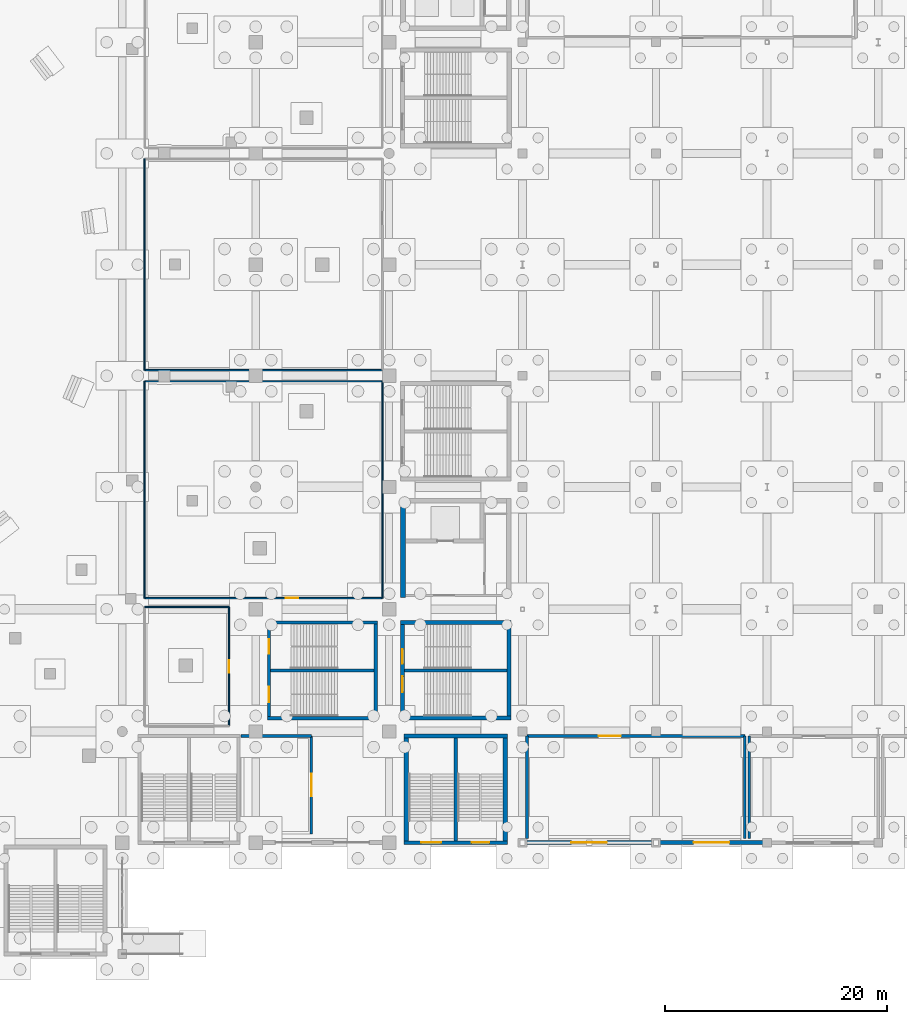
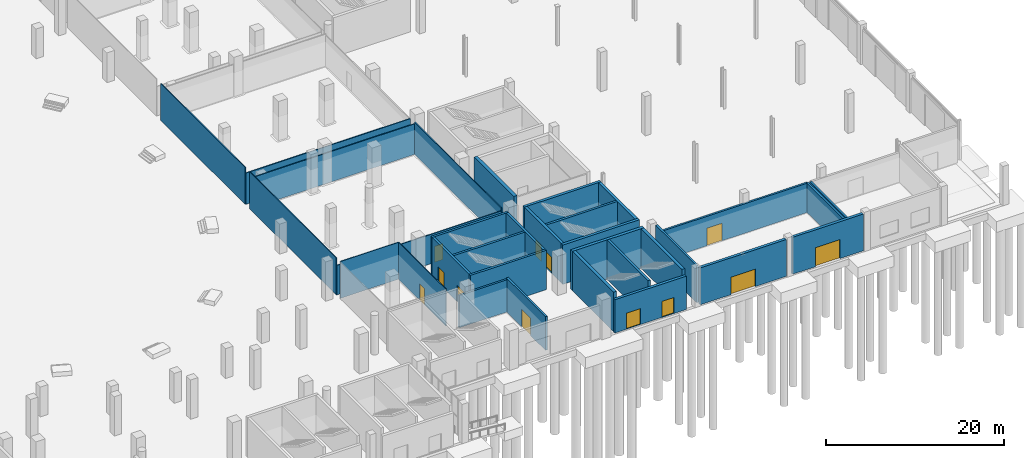
# One storey, part 54 of 70: 32 walls, 12 doors, 12 openings.
"""IFC4 building model written with IfcOpenShell, lengths in metres."""

from ifc_helpers import new_model, si_unit, direction, frame, frame_2d, origin, place, context, subcontext, project, spatial, rectangle, extrude, material, layer, layer_set, type_object, element, fill, save


model = new_model("IFC4")

# Units and contexts
model_context = context("Model", 3, precision=1e-05, world=origin(), true_north=direction((0.0, 1.0)))
body_context = subcontext(model_context, "Body", "Model", "MODEL_VIEW")
ifc_project = project(units=[si_unit("LENGTHUNIT", "METRE"), si_unit("AREAUNIT", "SQUARE_METRE"), si_unit("VOLUMEUNIT", "CUBIC_METRE"), si_unit("PLANEANGLEUNIT", "RADIAN"), si_unit("MASSUNIT", "GRAM", prefix="KILO")], contexts=[model_context])

# Site, building, storey
site_placement = place(None, origin())
site = spatial("IfcSite", under=ifc_project, at=site_placement, CompositionType="ELEMENT")
building_placement = place(site_placement, origin())
building = spatial("IfcBuilding", under=site, at=building_placement, Name="Brinegate Civic Arena", CompositionType="ELEMENT")
storey_placement = place(building_placement, origin())
storey = spatial("IfcBuildingStorey", under=building, at=storey_placement, Name="L00", CompositionType="ELEMENT", Elevation=0.0)

# Walls
ifc_material_1 = material(Name="Concrete C50/60", Category="concrete")
ifc_layer_1 = layer(ifc_material_1, 0.35009765625, Name="Concrete C50/60")
ifc_layer_set_1 = layer_set([ifc_layer_1], Name="Concrete C50/60")
wall_type_1 = type_object("IfcWallType", Name="WALL-CORE-SHEAR-350", PredefinedType="SHEAR", material=ifc_layer_set_1)
for number, where, z_axis, x_axis, name in (
    (1, (157.02490234375, 21.199951171875, 0.0), (0.0, 0.0, 1.0), (1.0, 0.0, 0.0), "Stair ST-19 South Shear Wall L00 (WBL-26)"),
    (2, (157.02490234375, 29.800048828125, 0.0), (0.0, 0.0, 1.0), (1.0, 0.0, 0.0), "Stair ST-19 North Shear Wall L00 (WBL-27)"),
):
    element("IfcWall", number, at=place(storey_placement, frame(where, z_axis=z_axis, x_axis=x_axis)), inside=storey, type_object=wall_type_1, Name=name, PredefinedType="SHEAR", context=body_context, shape_type="SweptSolid", body=[
        extrude(rectangle(XDim=9.9501953125, YDim=0.35009765625, at=frame_2d((4.97509765625, 0.0))), origin(), (0.0, 0.0, 1.0), 5.39990234375),
    ])

# Wall, openings, doors
wall_1_placement = place(storey_placement, frame((157.199951171875, 21.375, 0.0), z_axis=(0.0, 0.0, 1.0), x_axis=(0.0, 1.0, 0.0)))
wall_1 = element("IfcWall", 3, at=wall_1_placement, inside=storey, type_object=wall_type_1, Name="Stair ST-19 West Shear Wall L00 (WBL-28)", PredefinedType="SHEAR", context=body_context, shape_type="SweptSolid", body=[
    extrude(rectangle(XDim=8.25, YDim=0.35009765625, at=frame_2d((4.125, 0.0))), origin(), (0.0, 0.0, 1.0), 5.39990234375),
])
opening_1_placement = place(wall_1_placement, frame((2.175048828125, 0.0, 0.0)))
opening_1 = element("IfcOpeningElement", 4, at=opening_1_placement, cuts=wall_1, Name="Opening D-ST19A-L00", PredefinedType="OPENING", context=body_context, shape_type="SweptSolid", body=[
    extrude(rectangle(XDim=1.39990234375, YDim=2.199951171875, at=frame_2d((0.699951171875, 1.10009765625))), frame((0.0, 0.18505859375, 0.0), z_axis=(0.0, -1.0, 0.0), x_axis=(1.0, 0.0, 0.0)), (0.0, 0.0, 1.0), 0.3701171875),
])
opening_2_placement = place(wall_1_placement, frame((4.715087890625, 0.0, 0.0)))
opening_2 = element("IfcOpeningElement", 5, at=opening_2_placement, cuts=wall_1, Name="Opening D-ST19B-L00", PredefinedType="OPENING", context=body_context, shape_type="SweptSolid", body=[
    extrude(rectangle(XDim=1.320068359375, YDim=2.199951171875, at=frame_2d((0.66015625, 1.10009765625))), frame((0.0, 0.18505859375, 0.0), z_axis=(0.0, -1.0, 0.0), x_axis=(1.0, 0.0, 0.0)), (0.0, 0.0, 1.0), 0.3701171875),
])
ifc_material_2 = material(Name="Galvanized hurricane steel", Category="steel")
door_type_1 = type_object("IfcDoorType", Name="DOOR-STAIR-2200X2200", OperationType="NOTDEFINED", PredefinedType="DOOR", material=ifc_material_2)
door_1_placement = place(opening_2_placement, origin())
door_1 = element("IfcDoor", 6, at=door_1_placement, inside=storey, type_object=door_type_1, Name="Protected Exit Stair Door D-ST19B-L00", OperationType="DOUBLE_DOOR_SINGLE_SWING", OverallHeight=2.199951171875, OverallWidth=1.320068359375, PredefinedType="DOOR", context=body_context, shape_type="SweptSolid", body=[
    extrude(rectangle(XDim=1.320068359375, YDim=2.199951171875, at=frame_2d((0.66015625, 1.10009765625))), frame((0.0, 0.02490234375, 0.0), z_axis=(0.0, -1.0, 0.0), x_axis=(1.0, 0.0, 0.0)), (0.0, 0.0, 1.0), 0.050048828125),
])
fill(opening_2, door_1)
door_type_2 = type_object("IfcDoorType", Name="DOOR-STAIR-2400X2200", OperationType="NOTDEFINED", PredefinedType="DOOR", material=ifc_material_2)
door_2_placement = place(opening_1_placement, origin())
door_2 = element("IfcDoor", 7, at=door_2_placement, inside=storey, type_object=door_type_2, Name="Protected Exit Stair Door D-ST19A-L00", OperationType="DOUBLE_DOOR_SINGLE_SWING", OverallHeight=2.199951171875, OverallWidth=1.39990234375, PredefinedType="DOOR", context=body_context, shape_type="SweptSolid", body=[
    extrude(rectangle(XDim=1.39990234375, YDim=2.199951171875, at=frame_2d((0.699951171875, 1.10009765625))), frame((0.0, 0.02490234375, 0.0), z_axis=(0.0, -1.0, 0.0), x_axis=(1.0, 0.0, 0.0)), (0.0, 0.0, 1.0), 0.050048828125),
])
fill(opening_1, door_2)

# Walls
wall_2_placement = place(storey_placement, frame((166.800048828125, 21.375, 0.0), z_axis=(0.0, 0.0, 1.0), x_axis=(0.0, 1.0, 0.0)))
element("IfcWall", 8, at=wall_2_placement, inside=storey, type_object=wall_type_1, Name="Stair ST-19 East Shear Wall L00 (WBL-29)", PredefinedType="SHEAR", context=body_context, shape_type="SweptSolid", body=[
    extrude(rectangle(XDim=8.25, YDim=0.35009765625, at=frame_2d((4.125, 0.0))), origin(), (0.0, 0.0, 1.0), 5.39990234375),
])
ifc_layer_2 = layer(ifc_material_1, 0.389892578125, Name="Concrete C50/60")
ifc_layer_set_2 = layer_set([ifc_layer_2], Name="Concrete C50/60")
wall_type_2 = type_object("IfcWallType", Name="WALL-CORE-SHEAR-390", PredefinedType="SHEAR", material=ifc_layer_set_2)
wall_3_placement = place(storey_placement, frame((157.35498046875, 19.60009765625, 0.0), z_axis=(0.0, 0.0, 1.0), x_axis=(1.0, 0.0, 0.0)))
element("IfcWall", 9, at=wall_3_placement, inside=storey, type_object=wall_type_2, Name="Stair ST-06 North Shear Wall L00 (WBC-44)", PredefinedType="SHEAR", context=body_context, shape_type="SweptSolid", body=[
    extrude(rectangle(XDim=9.2900390625, YDim=0.389892578125, at=frame_2d((4.64501953125, 0.0))), origin(), (0.0, 0.0, 1.0), 5.39990234375),
])
for number, where, z_axis, x_axis, name in (
    (10, (157.550048828125, 10.175048828125, 0.0), (0.0, 0.0, 1.0), (0.0, 1.0, 0.0), "Stair ST-06 West Shear Wall L00 (WBC-45)"),
    (11, (166.449951171875, 10.175048828125, 0.0), (0.0, 0.0, 1.0), (0.0, 1.0, 0.0), "Stair ST-06 East Shear Wall L00 (WBC-46)"),
):
    element("IfcWall", number, at=place(storey_placement, frame(where, z_axis=z_axis, x_axis=x_axis)), inside=storey, type_object=wall_type_2, Name=name, PredefinedType="SHEAR", context=body_context, shape_type="SweptSolid", body=[
        extrude(rectangle(XDim=9.22998046875, YDim=0.389892578125, at=frame_2d((4.614990234375, 0.0))), origin(), (0.0, 0.0, 1.0), 5.39990234375),
    ])
ifc_layer_3 = layer(ifc_material_1, 0.419921875, Name="Concrete C50/60")
ifc_layer_set_3 = layer_set([ifc_layer_3], Name="Concrete C50/60")
wall_type_3 = type_object("IfcWallType", Name="WALL-CORE-SHEAR-420", PredefinedType="SHEAR", material=ifc_layer_set_3)
wall_4_placement = place(storey_placement, frame((157.25, 32.0400390625, 0.0), z_axis=(0.0, 0.0, 1.0), x_axis=(0.0, 1.0, 0.0)))
element("IfcWall", 12, at=wall_4_placement, inside=storey, type_object=wall_type_3, Name="Core K6 West Shear Wall L00 (WBH-80)", PredefinedType="SHEAR", context=body_context, shape_type="SweptSolid", body=[
    extrude(rectangle(XDim=8.919921875, YDim=0.419921875, at=frame_2d((4.4599609375, 0.0))), origin(), (0.0, 0.0, 1.0), 5.39990234375),
])

# Wall, opening, door
ifc_material_3 = material(Name="Precast concrete C45/55", Category="concrete")
ifc_layer_4 = layer(ifc_material_3, 0.360107421875, Name="Precast concrete C45/55")
ifc_layer_set_4 = layer_set([ifc_layer_4], Name="Precast concrete C45/55")
wall_type_4 = type_object("IfcWallType", Name="WALL-EXT-PRECAST-360", PredefinedType="SOLIDWALL", material=ifc_layer_set_4)
wall_5_placement = place(storey_placement, frame((168.385009765625, 10.0, 0.0), z_axis=(0.0, 0.0, 1.0), x_axis=(1.0, 0.0, 0.0)))
wall_5 = element("IfcWall", 13, at=wall_5_placement, inside=storey, type_object=wall_type_4, Name="L00 Perimeter Wall ES-1 (WBA-34)", PredefinedType="SOLIDWALL", context=body_context, shape_type="SweptSolid", body=[
    extrude(rectangle(XDim=11.22998046875, YDim=0.360107421875, at=frame_2d((5.614990234375, 0.0))), origin(), (0.0, 0.0, 1.0), 5.06005859375),
])
opening_3_placement = place(wall_5_placement, frame((4.014892578125, 0.0, 0.0)))
opening_3 = element("IfcOpeningElement", 14, at=opening_3_placement, cuts=wall_5, Name="Opening E-17", PredefinedType="OPENING", context=body_context, shape_type="SweptSolid", body=[
    extrude(rectangle(XDim=3.199951171875, YDim=2.39990234375, at=frame_2d((1.60009765625, 1.199951171875))), frame((0.0, 0.18994140625, 0.0), z_axis=(0.0, -1.0, 0.0), x_axis=(1.0, 0.0, 0.0)), (0.0, 0.0, 1.0), 0.380126953125),
])
ifc_material_4 = material(Name="Marine grade aluminium", Category="aluminium")
door_type_3 = type_object("IfcDoorType", Name="DOOR-FINAL-EXIT-3200X2400", OperationType="NOTDEFINED", PredefinedType="DOOR", material=ifc_material_4)
door_3_placement = place(opening_3_placement, frame((3.199951171875, 0.0, 0.0), z_axis=(0.0, 0.0, 1.0), x_axis=(-1.0, 0.0, 0.0)))
door_3 = element("IfcDoor", 15, at=door_3_placement, inside=storey, type_object=door_type_3, Name="Main Pedestrian Final Exit Door E-17", OperationType="DOUBLE_DOOR_SINGLE_SWING", OverallHeight=2.39990234375, OverallWidth=3.199951171875, PredefinedType="DOOR", context=body_context, shape_type="SweptSolid", body=[
    extrude(rectangle(XDim=3.199951171875, YDim=2.39990234375, at=frame_2d((1.60009765625, 1.199951171875))), frame((0.0, 0.02490234375, 0.0), z_axis=(0.0, -1.0, 0.0), x_axis=(1.0, 0.0, 0.0)), (0.0, 0.0, 1.0), 0.050048828125),
])
fill(opening_3, door_3)

wall_6_placement = place(storey_placement, frame((180.385009765625, 10.0, 0.0), z_axis=(0.0, 0.0, 1.0), x_axis=(1.0, 0.0, 0.0)))
wall_6 = element("IfcWall", 16, at=wall_6_placement, inside=storey, type_object=wall_type_4, Name="L00 Perimeter Wall ES-2 (WBA-35)", PredefinedType="SOLIDWALL", context=body_context, shape_type="SweptSolid", body=[
    extrude(rectangle(XDim=9.22998046875, YDim=0.360107421875, at=frame_2d((4.614990234375, 0.0))), origin(), (0.0, 0.0, 1.0), 5.06005859375),
])
opening_4_placement = place(wall_6_placement, frame((3.014892578125, 0.0, 0.0)))
opening_4 = element("IfcOpeningElement", 17, at=opening_4_placement, cuts=wall_6, Name="Opening E-18", PredefinedType="OPENING", context=body_context, shape_type="SweptSolid", body=[
    extrude(rectangle(XDim=3.199951171875, YDim=2.60009765625, at=frame_2d((1.60009765625, 1.300048828125))), frame((0.0, 0.18994140625, 0.0), z_axis=(0.0, -1.0, 0.0), x_axis=(1.0, 0.0, 0.0)), (0.0, 0.0, 1.0), 0.380126953125),
])
door_type_4 = type_object("IfcDoorType", Name="DOOR-FINAL-EXIT-3200X2600", OperationType="NOTDEFINED", PredefinedType="DOOR", material=ifc_material_4)
door_4_placement = place(opening_4_placement, frame((3.199951171875, 0.0, 0.0), z_axis=(0.0, 0.0, 1.0), x_axis=(-1.0, 0.0, 0.0)))
door_4 = element("IfcDoor", 18, at=door_4_placement, inside=storey, type_object=door_type_4, Name="Main Pedestrian Final Exit Door E-18", OperationType="DOUBLE_DOOR_SINGLE_SWING", OverallHeight=2.60009765625, OverallWidth=3.199951171875, PredefinedType="DOOR", context=body_context, shape_type="SweptSolid", body=[
    extrude(rectangle(XDim=3.199951171875, YDim=2.60009765625, at=frame_2d((1.60009765625, 1.300048828125))), frame((0.0, 0.02490234375, 0.0), z_axis=(0.0, -1.0, 0.0), x_axis=(1.0, 0.0, 0.0)), (0.0, 0.0, 1.0), 0.050048828125),
])
fill(opening_4, door_4)

# Wall, openings, doors
ifc_layer_5 = layer(ifc_material_1, 0.35009765625, Name="Concrete C50/60")
ifc_layer_set_5 = layer_set([ifc_layer_5], Name="Concrete C50/60")
wall_type_5 = type_object("IfcWallType", Name="WALL-EXT-STAIR-SHEAR-350", PredefinedType="SHEAR", material=ifc_layer_set_5)
wall_7_placement = place(storey_placement, frame((157.35498046875, 10.0, 0.0), z_axis=(0.0, 0.0, 1.0), x_axis=(1.0, 0.0, 0.0)))
wall_7 = element("IfcWall", 19, at=wall_7_placement, inside=storey, type_object=wall_type_5, Name="Stair ST-06 South Shear Wall L00 (WBC-43)", PredefinedType="SHEAR", context=body_context, shape_type="SweptSolid", body=[
    extrude(rectangle(XDim=9.2900390625, YDim=0.35009765625, at=frame_2d((4.64501953125, 0.0))), origin(), (0.0, 0.0, 1.0), 4.573974609375),
])
opening_5_placement = place(wall_7_placement, frame((1.52001953125, 0.0, 0.0)))
opening_5 = element("IfcOpeningElement", 20, at=opening_5_placement, cuts=wall_7, Name="Opening E-ST06A", PredefinedType="OPENING", context=body_context, shape_type="SweptSolid", body=[
    extrude(rectangle(XDim=1.800048828125, YDim=2.199951171875, at=frame_2d((0.89990234375, 1.10009765625))), frame((0.0, 0.18505859375, 0.0), z_axis=(0.0, -1.0, 0.0), x_axis=(1.0, 0.0, 0.0)), (0.0, 0.0, 1.0), 0.3701171875),
])
opening_6_placement = place(wall_7_placement, frame((6.070068359375, 0.0, 0.0)))
opening_6 = element("IfcOpeningElement", 21, at=opening_6_placement, cuts=wall_7, Name="Opening E-ST06B", PredefinedType="OPENING", context=body_context, shape_type="SweptSolid", body=[
    extrude(rectangle(XDim=1.60009765625, YDim=2.199951171875, at=frame_2d((0.800048828125, 1.10009765625))), frame((0.0, 0.18505859375, 0.0), z_axis=(0.0, -1.0, 0.0), x_axis=(1.0, 0.0, 0.0)), (0.0, 0.0, 1.0), 0.3701171875),
])
door_type_5 = type_object("IfcDoorType", Name="DOOR-LOGGIA-1600X2200", OperationType="NOTDEFINED", PredefinedType="DOOR", material=ifc_material_4)
door_5_placement = place(opening_6_placement, frame((1.60009765625, 0.0, 0.0), z_axis=(0.0, 0.0, 1.0), x_axis=(-1.0, 0.0, 0.0)))
door_5 = element("IfcDoor", 22, at=door_5_placement, inside=storey, type_object=door_type_5, Name="Stair Final Exit Discharge Door E-ST06B", OperationType="DOUBLE_DOOR_SINGLE_SWING", OverallHeight=2.199951171875, OverallWidth=1.60009765625, PredefinedType="DOOR", context=body_context, shape_type="SweptSolid", body=[
    extrude(rectangle(XDim=1.60009765625, YDim=2.199951171875, at=frame_2d((0.800048828125, 1.10009765625))), frame((0.0, 0.02490234375, 0.0), z_axis=(0.0, -1.0, 0.0), x_axis=(1.0, 0.0, 0.0)), (0.0, 0.0, 1.0), 0.050048828125),
])
fill(opening_6, door_5)
door_type_6 = type_object("IfcDoorType", Name="DOOR-LOGGIA-1800X2200", OperationType="NOTDEFINED", PredefinedType="DOOR", material=ifc_material_4)
door_6_placement = place(opening_5_placement, frame((1.800048828125, 0.0, 0.0), z_axis=(0.0, 0.0, 1.0), x_axis=(-1.0, 0.0, 0.0)))
door_6 = element("IfcDoor", 23, at=door_6_placement, inside=storey, type_object=door_type_6, Name="Stair Final Exit Discharge Door E-ST06A", OperationType="DOUBLE_DOOR_SINGLE_SWING", OverallHeight=2.199951171875, OverallWidth=1.800048828125, PredefinedType="DOOR", context=body_context, shape_type="SweptSolid", body=[
    extrude(rectangle(XDim=1.800048828125, YDim=2.199951171875, at=frame_2d((0.89990234375, 1.10009765625))), frame((0.0, 0.02490234375, 0.0), z_axis=(0.0, -1.0, 0.0), x_axis=(1.0, 0.0, 0.0)), (0.0, 0.0, 1.0), 0.050048828125),
])
fill(opening_5, door_6)

# Walls
ifc_material_5 = material(Name="Concrete C40/50", Category="concrete")
ifc_layer_6 = layer(ifc_material_5, 0.25, Name="Concrete C40/50")
ifc_layer_set_6 = layer_set([ifc_layer_6], Name="Concrete C40/50")
wall_type_6 = type_object("IfcWallType", Name="WALL-INT-SOLID-250", PredefinedType="SOLIDWALL", material=ifc_layer_set_6)
wall_8_placement = place(storey_placement, frame((188.0, 19.60009765625, 0.0), z_axis=(0.0, 0.0, 1.0), x_axis=(0.0, -1.0, 0.0)))
element("IfcWall", 24, at=wall_8_placement, inside=storey, type_object=wall_type_6, Name="Central Chiller and Ice Plant Hall Partition Wall E1 (WBI-46)", PredefinedType="SOLIDWALL", context=body_context, shape_type="SweptSolid", body=[
    extrude(rectangle(XDim=9.2001953125, YDim=0.25, at=frame_2d((4.60009765625, 0.0))), origin(), (0.0, 0.0, 1.0), 4.0400390625),
])
wall_9_placement = place(storey_placement, frame((168.39990234375, 10.39990234375, 0.0), z_axis=(0.0, 0.0, 1.0), x_axis=(0.0, 1.0, 0.0)))
element("IfcWall", 25, at=wall_9_placement, inside=storey, type_object=wall_type_6, Name="Central Chiller and Ice Plant Hall Partition Wall E3 (WBI-47)", PredefinedType="SOLIDWALL", context=body_context, shape_type="SweptSolid", body=[
    extrude(rectangle(XDim=9.2001953125, YDim=0.25, at=frame_2d((4.60009765625, 0.0))), origin(), (0.0, 0.0, 1.0), 5.06005859375),
])

# Wall, opening, door
wall_10_placement = place(storey_placement, frame((168.39990234375, 19.60009765625, 0.0), z_axis=(0.0, 0.0, 1.0), x_axis=(1.0, 0.0, 0.0)))
wall_10 = element("IfcWall", 26, at=wall_10_placement, inside=storey, type_object=wall_type_6, Name="Central Chiller and Ice Plant Hall Partition Wall E4 (WBI-48)", PredefinedType="SOLIDWALL", context=body_context, shape_type="SweptSolid", body=[
    extrude(rectangle(XDim=19.60009765625, YDim=0.25, at=frame_2d((9.800048828125, 0.0))), origin(), (0.0, 0.0, 1.0), 4.0400390625),
])
opening_7_placement = place(wall_10_placement, frame((6.447998046875, 0.0, 0.0)))
opening_7 = element("IfcOpeningElement", 27, at=opening_7_placement, cuts=wall_10, Name="Opening D-L00-156", PredefinedType="OPENING", context=body_context, shape_type="SweptSolid", body=[
    extrude(rectangle(XDim=2.0, YDim=2.39990234375, at=frame_2d((1.0, 1.199951171875))), frame((0.0, 0.135009765625, 0.0), z_axis=(0.0, -1.0, 0.0), x_axis=(1.0, 0.0, 0.0)), (0.0, 0.0, 1.0), 0.27001953125),
])
door_type_7 = type_object("IfcDoorType", Name="DOOR-PLANT-2000X2400", OperationType="NOTDEFINED", PredefinedType="DOOR", material=ifc_material_2)
door_7_placement = place(opening_7_placement, origin())
door_7 = element("IfcDoor", 28, at=door_7_placement, inside=storey, type_object=door_type_7, Name="Central Chiller and Ice Plant Hall Door D-L00-156", OperationType="DOUBLE_DOOR_SINGLE_SWING", OverallHeight=2.39990234375, OverallWidth=2.0, PredefinedType="DOOR", context=body_context, shape_type="SweptSolid", body=[
    extrude(rectangle(XDim=2.0, YDim=2.39990234375, at=frame_2d((1.0, 1.199951171875))), frame((0.0, 0.02490234375, 0.0), z_axis=(0.0, -1.0, 0.0), x_axis=(1.0, 0.0, 0.0)), (0.0, 0.0, 1.0), 0.050048828125),
])
fill(opening_7, door_7)

# Wall
wall_11_placement = place(storey_placement, frame((188.39990234375, 10.39990234375, 0.0), z_axis=(0.0, 0.0, 1.0), x_axis=(0.0, 1.0, 0.0)))
element("IfcWall", 29, at=wall_11_placement, inside=storey, type_object=wall_type_6, Name="Emergency Standby Generator Room Partition Wall E3 (WBI-50)", PredefinedType="SOLIDWALL", context=body_context, shape_type="SweptSolid", body=[
    extrude(rectangle(XDim=9.2001953125, YDim=0.25, at=frame_2d((4.60009765625, 0.0))), origin(), (0.0, 0.0, 1.0), 4.0400390625),
])

# Wall, opening, door
wall_12_placement = place(storey_placement, frame((149.0, 19.60009765625, 0.0), z_axis=(0.0, 0.0, 1.0), x_axis=(0.0, -1.0, 0.0)))
wall_12 = element("IfcWall", 30, at=wall_12_placement, inside=storey, type_object=wall_type_6, Name="Domestic Fire Water Pump and Tank Hall Partition Wall E1 (WBI-54)", PredefinedType="SOLIDWALL", context=body_context, shape_type="SweptSolid", body=[
    extrude(rectangle(XDim=8.800048828125, YDim=0.25, at=frame_2d((4.39990234375, 0.0))), origin(), (0.0, 0.0, 1.0), 4.623046875),
])
opening_8_placement = place(wall_12_placement, frame((3.39990234375, 0.0, 0.0)))
opening_8 = element("IfcOpeningElement", 31, at=opening_8_placement, cuts=wall_12, Name="Opening D-L00-159", PredefinedType="OPENING", context=body_context, shape_type="SweptSolid", body=[
    extrude(rectangle(XDim=2.0, YDim=2.39990234375, at=frame_2d((1.0, 1.199951171875))), frame((0.0, 0.135009765625, 0.0), z_axis=(0.0, -1.0, 0.0), x_axis=(1.0, 0.0, 0.0)), (0.0, 0.0, 1.0), 0.27001953125),
])
door_8_placement = place(opening_8_placement, origin())
door_8 = element("IfcDoor", 32, at=door_8_placement, inside=storey, type_object=door_type_7, Name="Domestic Fire Water Pump and Tank Hall Door D-L00-159", OperationType="DOUBLE_DOOR_SINGLE_SWING", OverallHeight=2.39990234375, OverallWidth=2.0, PredefinedType="DOOR", context=body_context, shape_type="SweptSolid", body=[
    extrude(rectangle(XDim=2.0, YDim=2.39990234375, at=frame_2d((1.0, 1.199951171875))), frame((0.0, 0.02490234375, 0.0), z_axis=(0.0, -1.0, 0.0), x_axis=(1.0, 0.0, 0.0)), (0.0, 0.0, 1.0), 0.050048828125),
])
fill(opening_8, door_8)

# Walls
wall_13_placement = place(storey_placement, frame((142.699951171875, 19.60009765625, 0.0), z_axis=(0.0, 0.0, 1.0), x_axis=(1.0, 0.0, 0.0)))
element("IfcWall", 33, at=wall_13_placement, inside=storey, type_object=wall_type_6, Name="Domestic Fire Water Pump and Tank Hall Partition Wall E4 (WBI-55)", PredefinedType="SOLIDWALL", context=body_context, shape_type="SweptSolid", body=[
    extrude(rectangle(XDim=6.300048828125, YDim=0.25, at=frame_2d((3.14990234375, 0.0))), origin(), (0.0, 0.0, 1.0), 4.428955078125),
])
ifc_material_6 = material(Name="Fire-rated gypsum partition assembly")
ifc_layer_7 = layer(ifc_material_6, 0.1298828125, Name="Fire-rated gypsum partition assembly")
ifc_layer_set_7 = layer_set([ifc_layer_7], Name="Fire-rated gypsum partition assembly")
wall_type_7 = type_object("IfcWallType", Name="WALL-PART-ACOUSTIC-130", PredefinedType="PARTITIONING", material=ifc_layer_set_7)
wall_14_placement = place(storey_placement, frame((155.39990234375, 52.5, 0.0), z_axis=(0.0, 0.0, 1.0), x_axis=(-1.0, 0.0, 0.0)))
element("IfcWall", 34, at=wall_14_placement, inside=storey, type_object=wall_type_7, Name="Home Athlete Locker and Shower Suite Partition Wall E2 (WBI-25)", PredefinedType="PARTITIONING", context=body_context, shape_type="SweptSolid", body=[
    extrude(rectangle(XDim=21.39990234375, YDim=0.1298828125, at=frame_2d((10.699951171875, 0.0))), origin(), (0.0, 0.0, 1.0), 4.2900390625),
])
wall_15_placement = place(storey_placement, frame((134.0, 52.5, 0.0), z_axis=(0.0, 0.0, 1.0), x_axis=(0.0, 1.0, 0.0)))
element("IfcWall", 35, at=wall_15_placement, inside=storey, type_object=wall_type_7, Name="Home Athlete Locker and Shower Suite Partition Wall E3 (WBI-26)", PredefinedType="PARTITIONING", context=body_context, shape_type="SweptSolid", body=[
    extrude(rectangle(XDim=19.0, YDim=0.1298828125, at=frame_2d((9.5, 0.0))), origin(), (0.0, 0.0, 1.0), 5.06005859375),
])
ifc_layer_8 = layer(ifc_material_6, 0.114990234375, Name="Fire-rated gypsum partition assembly")
ifc_layer_set_8 = layer_set([ifc_layer_8], Name="Fire-rated gypsum partition assembly")
wall_type_8 = type_object("IfcWallType", Name="WALL-PART-STD-115", PredefinedType="PARTITIONING", material=ifc_layer_set_8)
wall_16_placement = place(storey_placement, frame((155.39990234375, 51.5, 0.0), z_axis=(0.0, 0.0, 1.0), x_axis=(0.0, -1.0, 0.0)))
element("IfcWall", 36, at=wall_16_placement, inside=storey, type_object=wall_type_8, Name="Visiting Athlete Locker and Shower Suite Partition Wall E1 (WBI-28)", PredefinedType="PARTITIONING", context=body_context, shape_type="SweptSolid", body=[
    extrude(rectangle(XDim=19.5, YDim=0.114990234375, at=frame_2d((9.75, 0.0))), origin(), (0.0, 0.0, 1.0), 4.424072265625),
])

# Wall, opening, door
wall_17_placement = place(storey_placement, frame((155.39990234375, 32.0, 0.0), z_axis=(0.0, 0.0, 1.0), x_axis=(-1.0, 0.0, 0.0)))
wall_17 = element("IfcWall", 37, at=wall_17_placement, inside=storey, type_object=wall_type_8, Name="Visiting Athlete Locker and Shower Suite Partition Wall E2 (WBI-29)", PredefinedType="PARTITIONING", context=body_context, shape_type="SweptSolid", body=[
    extrude(rectangle(XDim=21.39990234375, YDim=0.114990234375, at=frame_2d((10.699951171875, 0.0))), origin(), (0.0, 0.0, 1.0), 4.0400390625),
])
opening_9_placement = place(wall_17_placement, frame((7.58203125, 0.0, 0.0)))
opening_9 = element("IfcOpeningElement", 38, at=opening_9_placement, cuts=wall_17, Name="Opening D-L00-151", PredefinedType="OPENING", context=body_context, shape_type="SweptSolid", body=[
    extrude(rectangle(XDim=1.10009765625, YDim=2.199951171875, at=frame_2d((0.550048828125, 1.10009765625))), frame((0.0, 0.0673828125, 0.0), z_axis=(0.0, -1.0, 0.0), x_axis=(1.0, 0.0, 0.0)), (0.0, 0.0, 1.0), 0.135009765625),
])
ifc_material_7 = material(Name="Hardwood acoustic timber door", Category="wood")
door_type_8 = type_object("IfcDoorType", Name="DOOR-LOCKER-1100X2200", OperationType="NOTDEFINED", PredefinedType="DOOR", material=ifc_material_7)
door_9_placement = place(opening_9_placement, origin())
door_9 = element("IfcDoor", 39, at=door_9_placement, inside=storey, type_object=door_type_8, Name="Visiting Athlete Locker and Shower Suite Door D-L00-151", OperationType="SINGLE_SWING_LEFT", OverallHeight=2.199951171875, OverallWidth=1.10009765625, PredefinedType="DOOR", context=body_context, shape_type="SweptSolid", body=[
    extrude(rectangle(XDim=1.10009765625, YDim=2.199951171875, at=frame_2d((0.550048828125, 1.10009765625))), frame((0.0, 0.02490234375, 0.0), z_axis=(0.0, -1.0, 0.0), x_axis=(1.0, 0.0, 0.0)), (0.0, 0.0, 1.0), 0.050048828125),
])
fill(opening_9, door_9)

# Walls
wall_18_placement = place(storey_placement, frame((134.0, 32.0, 0.0), z_axis=(0.0, 0.0, 1.0), x_axis=(0.0, 1.0, 0.0)))
element("IfcWall", 40, at=wall_18_placement, inside=storey, type_object=wall_type_8, Name="Visiting Athlete Locker and Shower Suite Partition Wall E3 (WBI-30)", PredefinedType="PARTITIONING", context=body_context, shape_type="SweptSolid", body=[
    extrude(rectangle(XDim=19.5, YDim=0.114990234375, at=frame_2d((9.75, 0.0))), origin(), (0.0, 0.0, 1.0), 5.06005859375),
])
wall_19_placement = place(storey_placement, frame((134.0, 51.5, 0.0), z_axis=(0.0, 0.0, 1.0), x_axis=(1.0, 0.0, 0.0)))
element("IfcWall", 41, at=wall_19_placement, inside=storey, type_object=wall_type_8, Name="Visiting Athlete Locker and Shower Suite Partition Wall E4 (WBI-31)", PredefinedType="PARTITIONING", context=body_context, shape_type="SweptSolid", body=[
    extrude(rectangle(XDim=21.39990234375, YDim=0.114990234375, at=frame_2d((10.699951171875, 0.0))), origin(), (0.0, 0.0, 1.0), 4.18994140625),
])

# Wall, opening, door
ifc_material_8 = material(Name="Concrete blockwork masonry", Category="masonry")
ifc_layer_9 = layer(ifc_material_8, 0.10009765625, Name="Concrete blockwork masonry")
ifc_layer_set_9 = layer_set([ifc_layer_9], Name="Concrete blockwork masonry")
wall_type_9 = type_object("IfcWallType", Name="WALL-PART-WET-100", PredefinedType="PARTITIONING", material=ifc_layer_set_9)
wall_20_placement = place(storey_placement, frame((141.60009765625, 31.199951171875, 0.0), z_axis=(0.0, 0.0, 1.0), x_axis=(0.0, -1.0, 0.0)))
wall_20 = element("IfcWall", 42, at=wall_20_placement, inside=storey, type_object=wall_type_9, Name="Star Performer Dressing Suites Partition Wall E1 (WBI-32)", PredefinedType="PARTITIONING", context=body_context, shape_type="SweptSolid", body=[
    extrude(rectangle(XDim=10.699951171875, YDim=0.10009765625, at=frame_2d((5.35009765625, 0.0))), origin(), (0.0, 0.0, 1.0), 5.06005859375),
])
opening_10_placement = place(wall_20_placement, frame((4.800048828125, 0.0, 0.0)))
opening_10 = element("IfcOpeningElement", 43, at=opening_10_placement, cuts=wall_20, Name="Opening D-L00-152", PredefinedType="OPENING", context=body_context, shape_type="SweptSolid", body=[
    extrude(rectangle(XDim=1.10009765625, YDim=2.199951171875, at=frame_2d((0.550048828125, 1.10009765625))), frame((0.0, 0.06005859375, 0.0), z_axis=(0.0, -1.0, 0.0), x_axis=(1.0, 0.0, 0.0)), (0.0, 0.0, 1.0), 0.1201171875),
])
door_10_placement = place(opening_10_placement, origin())
door_10 = element("IfcDoor", 44, at=door_10_placement, inside=storey, type_object=door_type_8, Name="Star Performer Dressing Suites Door D-L00-152", OperationType="SINGLE_SWING_RIGHT", OverallHeight=2.199951171875, OverallWidth=1.10009765625, PredefinedType="DOOR", context=body_context, shape_type="SweptSolid", body=[
    extrude(rectangle(XDim=1.10009765625, YDim=2.199951171875, at=frame_2d((0.550048828125, 1.10009765625))), frame((0.0, 0.02490234375, 0.0), z_axis=(0.0, -1.0, 0.0), x_axis=(1.0, 0.0, 0.0)), (0.0, 0.0, 1.0), 0.050048828125),
])
fill(opening_10, door_10)

# Walls
wall_21_placement = place(storey_placement, frame((134.0, 31.199951171875, 0.0), z_axis=(0.0, 0.0, 1.0), x_axis=(1.0, 0.0, 0.0)))
element("IfcWall", 45, at=wall_21_placement, inside=storey, type_object=wall_type_9, Name="Star Performer Dressing Suites Partition Wall E4 (WBI-35)", PredefinedType="PARTITIONING", context=body_context, shape_type="SweptSolid", body=[
    extrude(rectangle(XDim=7.60009765625, YDim=0.10009765625, at=frame_2d((3.800048828125, 0.0))), origin(), (0.0, 0.0, 1.0), 5.06005859375),
])
ifc_layer_10 = layer(ifc_material_1, 0.2900390625, Name="Concrete C50/60")
ifc_layer_set_10 = layer_set([ifc_layer_10], Name="Concrete C50/60")
wall_type_10 = type_object("IfcWallType", Name="WALL-STAIR-SHEAR-290", PredefinedType="SHEAR", material=ifc_layer_set_10)
wall_22_placement = place(storey_placement, frame((162.0, 10.175048828125, 0.0), z_axis=(0.0, 0.0, 1.0), x_axis=(0.0, 1.0, 0.0)))
element("IfcWall", 46, at=wall_22_placement, inside=storey, type_object=wall_type_10, Name="Stair ST-06 Central Dividing Shear Wall L00 (WBC-47)", PredefinedType="SHEAR", context=body_context, shape_type="SweptSolid", body=[
    extrude(rectangle(XDim=9.22998046875, YDim=0.2900390625, at=frame_2d((4.614990234375, 0.0))), origin(), (0.0, 0.0, 1.0), 5.39990234375),
])
for number, where, z_axis, x_axis, name in (
    (47, (145.054931640625, 21.199951171875, 0.0), (0.0, 0.0, 1.0), (1.0, 0.0, 0.0), "Stair ST-17 South Shear Wall L00 (WBK-75)"),
    (48, (145.054931640625, 29.800048828125, 0.0), (0.0, 0.0, 1.0), (1.0, 0.0, 0.0), "Stair ST-17 North Shear Wall L00 (WBK-76)"),
):
    element("IfcWall", number, at=place(storey_placement, frame(where, z_axis=z_axis, x_axis=x_axis)), inside=storey, type_object=wall_type_10, Name=name, PredefinedType="SHEAR", context=body_context, shape_type="SweptSolid", body=[
        extrude(rectangle(XDim=9.89013671875, YDim=0.2900390625, at=frame_2d((4.945068359375, 0.0))), origin(), (0.0, 0.0, 1.0), 5.39990234375),
    ])

# Wall, openings, doors
wall_23_placement = place(storey_placement, frame((145.199951171875, 21.344970703125, 0.0), z_axis=(0.0, 0.0, 1.0), x_axis=(0.0, 1.0, 0.0)))
wall_23 = element("IfcWall", 49, at=wall_23_placement, inside=storey, type_object=wall_type_10, Name="Stair ST-17 West Shear Wall L00 (WBK-77)", PredefinedType="SHEAR", context=body_context, shape_type="SweptSolid", body=[
    extrude(rectangle(XDim=8.31005859375, YDim=0.2900390625, at=frame_2d((4.155029296875, 0.0))), origin(), (0.0, 0.0, 1.0), 5.39990234375),
])
opening_11_placement = place(wall_23_placement, frame((1.304931640625, 0.0, 0.0)))
opening_11 = element("IfcOpeningElement", 50, at=opening_11_placement, cuts=wall_23, Name="Opening D-ST17A-L00", PredefinedType="OPENING", context=body_context, shape_type="SweptSolid", body=[
    extrude(rectangle(XDim=1.39990234375, YDim=2.199951171875, at=frame_2d((0.699951171875, 1.10009765625))), frame((0.0, 0.155029296875, 0.0), z_axis=(0.0, -1.0, 0.0), x_axis=(1.0, 0.0, 0.0)), (0.0, 0.0, 1.0), 0.31005859375),
])
opening_12_placement = place(wall_23_placement, frame((5.64501953125, 0.0, 0.0)))
opening_12 = element("IfcOpeningElement", 51, at=opening_12_placement, cuts=wall_23, Name="Opening D-ST17B-L00", PredefinedType="OPENING", context=body_context, shape_type="SweptSolid", body=[
    extrude(rectangle(XDim=1.320068359375, YDim=2.199951171875, at=frame_2d((0.66015625, 1.10009765625))), frame((0.0, 0.155029296875, 0.0), z_axis=(0.0, -1.0, 0.0), x_axis=(1.0, 0.0, 0.0)), (0.0, 0.0, 1.0), 0.31005859375),
])
door_11_placement = place(opening_12_placement, origin())
door_11 = element("IfcDoor", 52, at=door_11_placement, inside=storey, type_object=door_type_1, Name="Protected Exit Stair Door D-ST17B-L00", OperationType="DOUBLE_DOOR_SINGLE_SWING", OverallHeight=2.199951171875, OverallWidth=1.320068359375, PredefinedType="DOOR", context=body_context, shape_type="SweptSolid", body=[
    extrude(rectangle(XDim=1.320068359375, YDim=2.199951171875, at=frame_2d((0.66015625, 1.10009765625))), frame((0.0, 0.02490234375, 0.0), z_axis=(0.0, -1.0, 0.0), x_axis=(1.0, 0.0, 0.0)), (0.0, 0.0, 1.0), 0.050048828125),
])
fill(opening_12, door_11)
door_12_placement = place(opening_11_placement, origin())
door_12 = element("IfcDoor", 53, at=door_12_placement, inside=storey, type_object=door_type_2, Name="Protected Exit Stair Door D-ST17A-L00", OperationType="DOUBLE_DOOR_SINGLE_SWING", OverallHeight=2.199951171875, OverallWidth=1.39990234375, PredefinedType="DOOR", context=body_context, shape_type="SweptSolid", body=[
    extrude(rectangle(XDim=1.39990234375, YDim=2.199951171875, at=frame_2d((0.699951171875, 1.10009765625))), frame((0.0, 0.02490234375, 0.0), z_axis=(0.0, -1.0, 0.0), x_axis=(1.0, 0.0, 0.0)), (0.0, 0.0, 1.0), 0.050048828125),
])
fill(opening_11, door_12)

# Walls
wall_24_placement = place(storey_placement, frame((154.800048828125, 21.344970703125, 0.0), z_axis=(0.0, 0.0, 1.0), x_axis=(0.0, 1.0, 0.0)))
element("IfcWall", 54, at=wall_24_placement, inside=storey, type_object=wall_type_10, Name="Stair ST-17 East Shear Wall L00 (WBK-78)", PredefinedType="SHEAR", context=body_context, shape_type="SweptSolid", body=[
    extrude(rectangle(XDim=8.31005859375, YDim=0.2900390625, at=frame_2d((4.155029296875, 0.0))), origin(), (0.0, 0.0, 1.0), 5.39990234375),
])
wall_25_placement = place(storey_placement, frame((145.344970703125, 25.5, 0.0), z_axis=(0.0, 0.0, 1.0), x_axis=(1.0, 0.0, 0.0)))
element("IfcWall", 55, at=wall_25_placement, inside=storey, type_object=wall_type_10, Name="Stair ST-17 Central Dividing Shear Wall L00 (WBK-79)", PredefinedType="SHEAR", context=body_context, shape_type="SweptSolid", body=[
    extrude(rectangle(XDim=9.31005859375, YDim=0.2900390625, at=frame_2d((4.655029296875, 0.0))), origin(), (0.0, 0.0, 1.0), 5.39990234375),
])
wall_26_placement = place(storey_placement, frame((157.375, 25.5, 0.0), z_axis=(0.0, 0.0, 1.0), x_axis=(1.0, 0.0, 0.0)))
element("IfcWall", 56, at=wall_26_placement, inside=storey, type_object=wall_type_10, Name="Stair ST-19 Central Dividing Shear Wall L00 (WBL-30)", PredefinedType="SHEAR", context=body_context, shape_type="SweptSolid", body=[
    extrude(rectangle(XDim=9.25, YDim=0.2900390625, at=frame_2d((4.625, 0.0))), origin(), (0.0, 0.0, 1.0), 5.39990234375),
])

save(model, "model.ifc")
